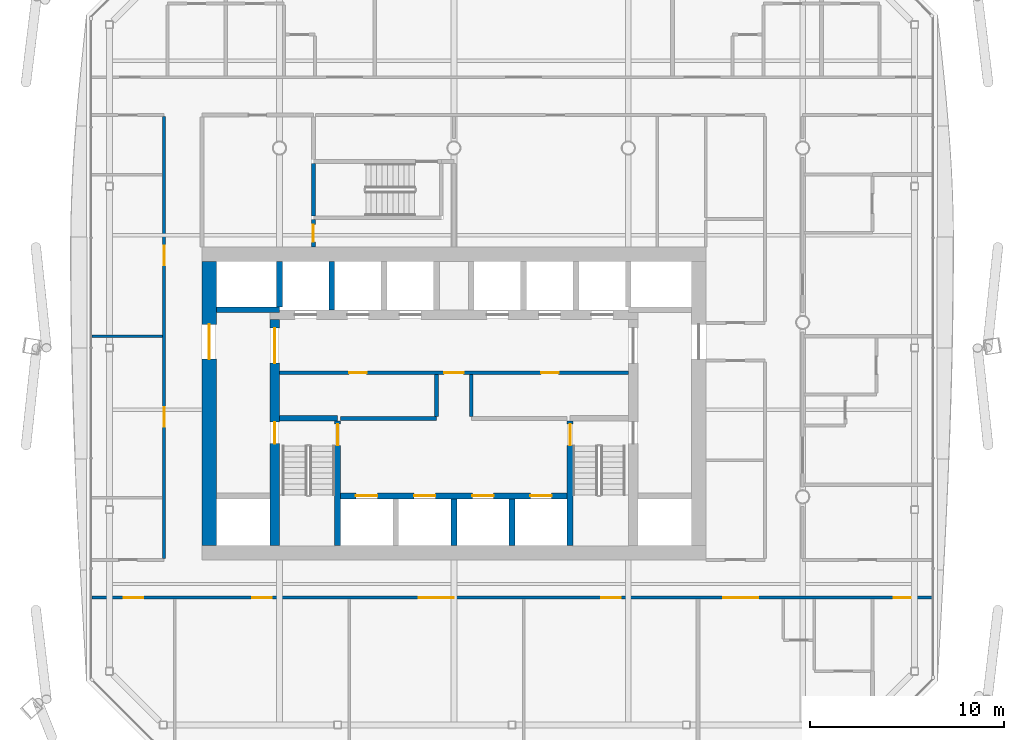
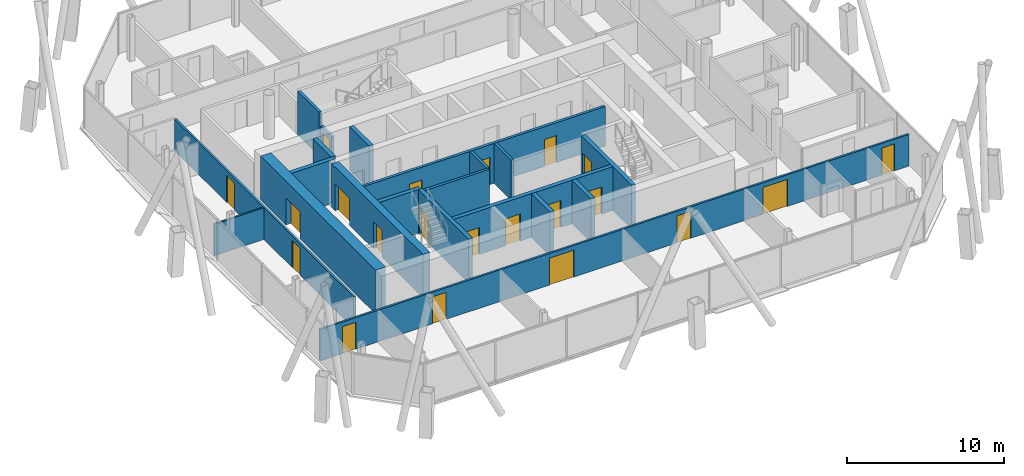
# One storey, part 14 of 20: 21 doors, 20 walls, 21 openings.
"""IFC4 building model written with IfcOpenShell, lengths in metres."""

from ifc_helpers import new_model, si_unit, direction, frame, frame_2d, origin, place, context, subcontext, project, spatial, rectangle, extrude, material, layer, layer_set, type_object, element, fill, save


model = new_model("IFC4")

# Units and contexts
model_context = context("Model", 3, precision=1e-05, world=origin(), true_north=direction((0.0, 1.0)))
body_context = subcontext(model_context, "Body", "Model", "MODEL_VIEW")
ifc_project = project(units=[si_unit("LENGTHUNIT", "METRE"), si_unit("AREAUNIT", "SQUARE_METRE"), si_unit("VOLUMEUNIT", "CUBIC_METRE"), si_unit("PLANEANGLEUNIT", "RADIAN"), si_unit("MASSUNIT", "GRAM", prefix="KILO")], contexts=[model_context])

# Site, building, storey
site_placement = place(None, origin())
site = spatial("IfcSite", under=ifc_project, at=site_placement, CompositionType="ELEMENT")
building_placement = place(site_placement, origin())
building = spatial("IfcBuilding", under=site, at=building_placement, Name="Tskaro Facet Tower", CompositionType="ELEMENT")
storey_placement = place(building_placement, frame((0.0, 0.0, 152.10009765625)))
storey = spatial("IfcBuildingStorey", under=building, at=storey_placement, Name="L37", CompositionType="ELEMENT", Elevation=152.10009765625)

# Wall, openings, doors
ifc_material_1 = material(Name="Concrete C60/75", Category="concrete")
ifc_layer_1 = layer(ifc_material_1, 0.300048828125, Name="Concrete C60/75")
ifc_layer_set_1 = layer_set([ifc_layer_1], Name="Concrete C60/75")
wall_type_1 = type_object("IfcWallType", Name="CORE-SHAFT", PredefinedType="SHEAR", material=ifc_layer_set_1)
wall_1_placement = place(storey_placement, frame((-5.85009765625, -8.949951171875, 0.0), z_axis=(0.0, 0.0, 1.0), x_axis=(1.0, 0.0, 0.0)))
wall_1 = element("IfcWall", 1, at=wall_1_placement, inside=storey, type_object=wall_type_1, Name="Shaft wall W009", PredefinedType="SHEAR", context=body_context, shape_type="SweptSolid", body=[
    extrude(rectangle(XDim=11.7001953125, YDim=0.300048828125, at=frame_2d((5.85009765625, 0.0))), origin(), (0.0, 0.0, 1.0), 3.39990234375),
])
opening_1_placement = place(wall_1_placement, frame((0.800048828125, 0.0, 0.0)))
opening_1 = element("IfcOpeningElement", 2, at=opening_1_placement, cuts=wall_1, Name="Opening LD-FF1", PredefinedType="OPENING", context=body_context, shape_type="SweptSolid", body=[
    extrude(rectangle(XDim=1.10009765625, YDim=2.10009765625, at=frame_2d((0.550048828125, 1.050048828125))), frame((0.0, 0.159912109375, 0.0), z_axis=(0.0, -1.0, 0.0), x_axis=(1.0, 0.0, 0.0)), (0.0, 0.0, 1.0), 0.320068359375),
])
opening_2_placement = place(wall_1_placement, frame((3.800048828125, 0.0, 0.0)))
opening_2 = element("IfcOpeningElement", 3, at=opening_2_placement, cuts=wall_1, Name="Opening LD-FF2", PredefinedType="OPENING", context=body_context, shape_type="SweptSolid", body=[
    extrude(rectangle(XDim=1.10009765625, YDim=2.10009765625, at=frame_2d((0.550048828125, 1.050048828125))), frame((0.0, 0.159912109375, 0.0), z_axis=(0.0, -1.0, 0.0), x_axis=(1.0, 0.0, 0.0)), (0.0, 0.0, 1.0), 0.320068359375),
])
opening_3_placement = place(wall_1_placement, frame((6.800048828125, 0.0, 0.0)))
opening_3 = element("IfcOpeningElement", 4, at=opening_3_placement, cuts=wall_1, Name="Opening LD-SV1", PredefinedType="OPENING", context=body_context, shape_type="SweptSolid", body=[
    extrude(rectangle(XDim=1.10009765625, YDim=2.10009765625, at=frame_2d((0.550048828125, 1.050048828125))), frame((0.0, 0.159912109375, 0.0), z_axis=(0.0, -1.0, 0.0), x_axis=(1.0, 0.0, 0.0)), (0.0, 0.0, 1.0), 0.320068359375),
])
opening_4_placement = place(wall_1_placement, frame((9.800048828125, 0.0, 0.0)))
opening_4 = element("IfcOpeningElement", 5, at=opening_4_placement, cuts=wall_1, Name="Opening LD-SV2", PredefinedType="OPENING", context=body_context, shape_type="SweptSolid", body=[
    extrude(rectangle(XDim=1.10009765625, YDim=2.10009765625, at=frame_2d((0.550048828125, 1.050048828125))), frame((0.0, 0.159912109375, 0.0), z_axis=(0.0, -1.0, 0.0), x_axis=(1.0, 0.0, 0.0)), (0.0, 0.0, 1.0), 0.320068359375),
])
ifc_material_2 = material(Name="Stainless steel", Category="steel")
door_type_1 = type_object("IfcDoorType", Name="D-LANDING", OperationType="NOTDEFINED", PredefinedType="DOOR", material=ifc_material_2)
door_1_placement = place(opening_1_placement, origin())
door_1 = element("IfcDoor", 6, at=door_1_placement, inside=storey, type_object=door_type_1, Name="Landing door FF1", OperationType="DOUBLE_DOOR_SLIDING", OverallHeight=2.10009765625, OverallWidth=1.10009765625, PredefinedType="DOOR", context=body_context, shape_type="SweptSolid", body=[
    extrude(rectangle(XDim=1.10009765625, YDim=2.10009765625, at=frame_2d((0.550048828125, 1.050048828125))), frame((0.0, 0.02490234375, 0.0), z_axis=(0.0, -1.0, 0.0), x_axis=(1.0, 0.0, 0.0)), (0.0, 0.0, 1.0), 0.050048828125),
])
fill(opening_1, door_1)
door_2_placement = place(opening_2_placement, origin())
door_2 = element("IfcDoor", 7, at=door_2_placement, inside=storey, type_object=door_type_1, Name="Landing door FF2", OperationType="DOUBLE_DOOR_SLIDING", OverallHeight=2.10009765625, OverallWidth=1.10009765625, PredefinedType="DOOR", context=body_context, shape_type="SweptSolid", body=[
    extrude(rectangle(XDim=1.10009765625, YDim=2.10009765625, at=frame_2d((0.550048828125, 1.050048828125))), frame((0.0, 0.02490234375, 0.0), z_axis=(0.0, -1.0, 0.0), x_axis=(1.0, 0.0, 0.0)), (0.0, 0.0, 1.0), 0.050048828125),
])
fill(opening_2, door_2)
door_3_placement = place(opening_3_placement, origin())
door_3 = element("IfcDoor", 8, at=door_3_placement, inside=storey, type_object=door_type_1, Name="Landing door SV1", OperationType="DOUBLE_DOOR_SLIDING", OverallHeight=2.10009765625, OverallWidth=1.10009765625, PredefinedType="DOOR", context=body_context, shape_type="SweptSolid", body=[
    extrude(rectangle(XDim=1.10009765625, YDim=2.10009765625, at=frame_2d((0.550048828125, 1.050048828125))), frame((0.0, 0.02490234375, 0.0), z_axis=(0.0, -1.0, 0.0), x_axis=(1.0, 0.0, 0.0)), (0.0, 0.0, 1.0), 0.050048828125),
])
fill(opening_3, door_3)
door_4_placement = place(opening_4_placement, origin())
door_4 = element("IfcDoor", 9, at=door_4_placement, inside=storey, type_object=door_type_1, Name="Landing door SV2", OperationType="DOUBLE_DOOR_SLIDING", OverallHeight=2.10009765625, OverallWidth=1.10009765625, PredefinedType="DOOR", context=body_context, shape_type="SweptSolid", body=[
    extrude(rectangle(XDim=1.10009765625, YDim=2.10009765625, at=frame_2d((0.550048828125, 1.050048828125))), frame((0.0, 0.02490234375, 0.0), z_axis=(0.0, -1.0, 0.0), x_axis=(1.0, 0.0, 0.0)), (0.0, 0.0, 1.0), 0.050048828125),
])
fill(opening_4, door_4)

# Walls
wall_2_placement = place(storey_placement, frame((-9.0, -4.949951171875, 0.0), z_axis=(0.0, 0.0, 1.0), x_axis=(1.0, 0.0, 0.0)))
element("IfcWall", 10, at=wall_2_placement, inside=storey, type_object=wall_type_1, Name="Shaft wall W014", PredefinedType="SHEAR", context=body_context, shape_type="SweptSolid", body=[
    extrude(rectangle(XDim=3.0, YDim=0.300048828125, at=frame_2d((1.5, 0.0))), origin(), (0.0, 0.0, 1.0), 3.39990234375),
])
wall_3_placement = place(storey_placement, frame((-9.0, 0.64990234375, 0.0), z_axis=(0.0, 0.0, 1.0), x_axis=(-1.0, 0.0, 0.0)))
element("IfcWall", 11, at=wall_3_placement, inside=storey, type_object=wall_type_1, Name="Shaft wall W024", PredefinedType="SHEAR", context=body_context, shape_type="SweptSolid", body=[
    extrude(rectangle(XDim=3.25, YDim=0.300048828125, at=frame_2d((1.625, 0.0))), origin(), (0.0, 0.0, 1.0), 3.39990234375),
])
wall_4_placement = place(storey_placement, frame((-9.0, 0.800048828125, 0.0), z_axis=(0.0, 0.0, 1.0), x_axis=(0.0, 1.0, 0.0)))
element("IfcWall", 12, at=wall_4_placement, inside=storey, type_object=wall_type_1, Name="Shaft wall W048", PredefinedType="SHEAR", context=body_context, shape_type="SweptSolid", body=[
    extrude(rectangle(XDim=2.349853515625, YDim=0.300048828125, at=frame_2d((1.1748046875, 0.0))), origin(), (0.0, 0.0, 1.0), 3.39990234375),
])
wall_5_placement = place(storey_placement, frame((-6.300048828125, 0.64990234375, 0.0), z_axis=(0.0, 0.0, 1.0), x_axis=(0.0, 1.0, 0.0)))
element("IfcWall", 13, at=wall_5_placement, inside=storey, type_object=wall_type_1, Name="Shaft wall W054", PredefinedType="SHEAR", context=body_context, shape_type="SweptSolid", body=[
    extrude(rectangle(XDim=2.5, YDim=0.300048828125, at=frame_2d((1.25, 0.0))), origin(), (0.0, 0.0, 1.0), 3.39990234375),
])

# Wall, opening, door
wall_6_placement = place(storey_placement, frame((-6.0, -11.5, 0.0), z_axis=(0.0, 0.0, 1.0), x_axis=(0.0, 1.0, 0.0)))
wall_6 = element("IfcWall", 14, at=wall_6_placement, inside=storey, type_object=wall_type_1, Name="Shaft wall W055", PredefinedType="SHEAR", context=body_context, shape_type="SweptSolid", body=[
    extrude(rectangle(XDim=6.39990234375, YDim=0.300048828125, at=frame_2d((3.199951171875, 0.0))), origin(), (0.0, 0.0, 1.0), 3.39990234375),
])
opening_5_placement = place(wall_6_placement, frame((5.14990234375, 0.0, 0.0)))
opening_5 = element("IfcOpeningElement", 15, at=opening_5_placement, cuts=wall_6, Name="Opening ST-1-D1", PredefinedType="OPENING", context=body_context, shape_type="SweptSolid", body=[
    extrude(rectangle(XDim=1.10009765625, YDim=2.10009765625, at=frame_2d((0.550048828125, 1.050048828125))), frame((0.0, 0.159912109375, 0.0), z_axis=(0.0, -1.0, 0.0), x_axis=(1.0, 0.0, 0.0)), (0.0, 0.0, 1.0), 0.320068359375),
])
ifc_material_3 = material(Name="Steel", Category="steel")
door_type_2 = type_object("IfcDoorType", Name="D-STAIR", OperationType="NOTDEFINED", PredefinedType="DOOR", material=ifc_material_3)
door_5_placement = place(opening_5_placement, origin())
door_5 = element("IfcDoor", 16, at=door_5_placement, inside=storey, type_object=door_type_2, Name="Stair door 1", OperationType="SINGLE_SWING_LEFT", OverallHeight=2.10009765625, OverallWidth=1.10009765625, PredefinedType="DOOR", context=body_context, shape_type="SweptSolid", body=[
    extrude(rectangle(XDim=1.10009765625, YDim=2.10009765625, at=frame_2d((0.550048828125, 1.050048828125))), frame((0.0, 0.02490234375, 0.0), z_axis=(0.0, -1.0, 0.0), x_axis=(1.0, 0.0, 0.0)), (0.0, 0.0, 1.0), 0.050048828125),
])
fill(opening_5, door_5)

# Walls
for number, where, z_axis, x_axis, name in (
    (17, (0.0, -11.5, 0.0), (0.0, 0.0, 1.0), (0.0, 1.0, 0.0), "Shaft wall W063"),
    (18, (3.0, -11.5, 0.0), (0.0, 0.0, 1.0), (0.0, 1.0, 0.0), "Shaft wall W068"),
):
    element("IfcWall", number, at=place(storey_placement, frame(where, z_axis=z_axis, x_axis=x_axis)), inside=storey, type_object=wall_type_1, Name=name, PredefinedType="SHEAR", context=body_context, shape_type="SweptSolid", body=[
        extrude(rectangle(XDim=2.39990234375, YDim=0.300048828125, at=frame_2d((1.199951171875, 0.0))), origin(), (0.0, 0.0, 1.0), 3.39990234375),
    ])

# Wall, opening, door
wall_7_placement = place(storey_placement, frame((6.0, -5.10009765625, 0.0), z_axis=(0.0, 0.0, 1.0), x_axis=(0.0, -1.0, 0.0)))
wall_7 = element("IfcWall", 19, at=wall_7_placement, inside=storey, type_object=wall_type_1, Name="Shaft wall W071", PredefinedType="SHEAR", context=body_context, shape_type="SweptSolid", body=[
    extrude(rectangle(XDim=6.39990234375, YDim=0.300048828125, at=frame_2d((3.199951171875, 0.0))), origin(), (0.0, 0.0, 1.0), 3.39990234375),
])
opening_6_placement = place(wall_7_placement, frame((0.14990234375, 0.0, 0.0)))
opening_6 = element("IfcOpeningElement", 20, at=opening_6_placement, cuts=wall_7, Name="Opening ST-2-D1", PredefinedType="OPENING", context=body_context, shape_type="SweptSolid", body=[
    extrude(rectangle(XDim=1.10009765625, YDim=2.10009765625, at=frame_2d((0.550048828125, 1.050048828125))), frame((0.0, 0.159912109375, 0.0), z_axis=(0.0, -1.0, 0.0), x_axis=(1.0, 0.0, 0.0)), (0.0, 0.0, 1.0), 0.320068359375),
])
door_6_placement = place(opening_6_placement, origin())
door_6 = element("IfcDoor", 21, at=door_6_placement, inside=storey, type_object=door_type_2, Name="Stair door 2", OperationType="SINGLE_SWING_RIGHT", OverallHeight=2.10009765625, OverallWidth=1.10009765625, PredefinedType="DOOR", context=body_context, shape_type="SweptSolid", body=[
    extrude(rectangle(XDim=1.10009765625, YDim=2.10009765625, at=frame_2d((0.550048828125, 1.050048828125))), frame((0.0, 0.02490234375, 0.0), z_axis=(0.0, -1.0, 0.0), x_axis=(1.0, 0.0, 0.0)), (0.0, 0.0, 1.0), 0.050048828125),
])
fill(opening_6, door_6)

# Wall
ifc_material_4 = material(Name="Concrete C20/25", Category="concrete")
ifc_layer_2 = layer(ifc_material_4, 0.199951171875, Name="Concrete C20/25")
ifc_layer_set_2 = layer_set([ifc_layer_2], Name="Concrete C20/25")
wall_type_2 = type_object("IfcWallType", Name="CORE-WALL", PredefinedType="SOLIDWALL", material=ifc_layer_set_2)
wall_8_placement = place(storey_placement, frame((-5.85009765625, -4.949951171875, 0.0), z_axis=(0.0, 0.0, 1.0), x_axis=(1.0, 0.0, 0.0)))
element("IfcWall", 22, at=wall_8_placement, inside=storey, type_object=wall_type_2, Name="Core room wall W015", PredefinedType="SOLIDWALL", context=body_context, shape_type="SweptSolid", body=[
    extrude(rectangle(XDim=4.9501953125, YDim=0.199951171875, at=frame_2d((2.47509765625, 0.0))), origin(), (0.0, 0.0, 1.0), 3.099853515625),
])

# Wall, openings, doors
wall_9_placement = place(storey_placement, frame((9.0, -2.60009765625, 0.0), z_axis=(0.0, 0.0, 1.0), x_axis=(-1.0, 0.0, 0.0)))
wall_9 = element("IfcWall", 23, at=wall_9_placement, inside=storey, type_object=wall_type_2, Name="Core room wall W019", PredefinedType="SOLIDWALL", context=body_context, shape_type="SweptSolid", body=[
    extrude(rectangle(XDim=18.0, YDim=0.199951171875, at=frame_2d((9.0, 0.0))), origin(), (0.0, 0.0, 1.0), 3.099853515625),
])
opening_7_placement = place(wall_9_placement, frame((8.5, 0.0, 0.0)))
opening_7 = element("IfcOpeningElement", 24, at=opening_7_placement, cuts=wall_9, Name="Opening FL-D1", PredefinedType="OPENING", context=body_context, shape_type="SweptSolid", body=[
    extrude(rectangle(XDim=1.0, YDim=2.10009765625, at=frame_2d((0.5, 1.050048828125))), frame((0.0, 0.10986328125, 0.0), z_axis=(0.0, -1.0, 0.0), x_axis=(1.0, 0.0, 0.0)), (0.0, 0.0, 1.0), 0.219970703125),
])
opening_8_placement = place(wall_9_placement, frame((13.5, 0.0, 0.0)))
opening_8 = element("IfcOpeningElement", 25, at=opening_8_placement, cuts=wall_9, Name="Opening T11-D17", PredefinedType="OPENING", context=body_context, shape_type="SweptSolid", body=[
    extrude(rectangle(XDim=0.89990234375, YDim=2.10009765625, at=frame_2d((0.449951171875, 1.050048828125))), frame((0.0, 0.10986328125, 0.0), z_axis=(0.0, -1.0, 0.0), x_axis=(1.0, 0.0, 0.0)), (0.0, 0.0, 1.0), 0.219970703125),
])
opening_9_placement = place(wall_9_placement, frame((3.60009765625, 0.0, 0.0)))
opening_9 = element("IfcOpeningElement", 26, at=opening_9_placement, cuts=wall_9, Name="Opening T11-D18", PredefinedType="OPENING", context=body_context, shape_type="SweptSolid", body=[
    extrude(rectangle(XDim=0.89990234375, YDim=2.10009765625, at=frame_2d((0.449951171875, 1.050048828125))), frame((0.0, 0.10986328125, 0.0), z_axis=(0.0, -1.0, 0.0), x_axis=(1.0, 0.0, 0.0)), (0.0, 0.0, 1.0), 0.219970703125),
])
door_type_3 = type_object("IfcDoorType", Name="D-LOBBY", OperationType="NOTDEFINED", PredefinedType="DOOR", material=ifc_material_3)
door_7_placement = place(opening_7_placement, origin())
door_7 = element("IfcDoor", 27, at=door_7_placement, inside=storey, type_object=door_type_3, Name="Lobby door FL", OperationType="SINGLE_SWING_RIGHT", OverallHeight=2.10009765625, OverallWidth=1.0, PredefinedType="DOOR", context=body_context, shape_type="SweptSolid", body=[
    extrude(rectangle(XDim=1.0, YDim=2.10009765625, at=frame_2d((0.5, 1.050048828125))), frame((0.0, 0.02490234375, 0.0), z_axis=(0.0, -1.0, 0.0), x_axis=(1.0, 0.0, 0.0)), (0.0, 0.0, 1.0), 0.050048828125),
])
fill(opening_7, door_7)
ifc_material_5 = material(Name="Timber", Category="wood")
door_type_4 = type_object("IfcDoorType", Name="D-ROOM", OperationType="NOTDEFINED", PredefinedType="DOOR", material=ifc_material_5)
door_8_placement = place(opening_8_placement, origin())
door_8 = element("IfcDoor", 28, at=door_8_placement, inside=storey, type_object=door_type_4, Name="Door T11-D17", OperationType="SINGLE_SWING_RIGHT", OverallHeight=2.10009765625, OverallWidth=0.89990234375, PredefinedType="DOOR", context=body_context, shape_type="SweptSolid", body=[
    extrude(rectangle(XDim=0.89990234375, YDim=2.10009765625, at=frame_2d((0.449951171875, 1.050048828125))), frame((0.0, 0.02490234375, 0.0), z_axis=(0.0, -1.0, 0.0), x_axis=(1.0, 0.0, 0.0)), (0.0, 0.0, 1.0), 0.050048828125),
])
fill(opening_8, door_8)
door_9_placement = place(opening_9_placement, origin())
door_9 = element("IfcDoor", 29, at=door_9_placement, inside=storey, type_object=door_type_4, Name="Door T11-D18", OperationType="SINGLE_SWING_RIGHT", OverallHeight=2.10009765625, OverallWidth=0.89990234375, PredefinedType="DOOR", context=body_context, shape_type="SweptSolid", body=[
    extrude(rectangle(XDim=0.89990234375, YDim=2.10009765625, at=frame_2d((0.449951171875, 1.050048828125))), frame((0.0, 0.02490234375, 0.0), z_axis=(0.0, -1.0, 0.0), x_axis=(1.0, 0.0, 0.0)), (0.0, 0.0, 1.0), 0.050048828125),
])
fill(opening_9, door_9)

# Walls
for number, where, z_axis, x_axis, name in (
    (30, (-0.89990234375, -4.85009765625, 0.0), (0.0, 0.0, 1.0), (0.0, 1.0, 0.0), "Core room wall W060"),
    (31, (0.89990234375, -4.85009765625, 0.0), (0.0, 0.0, 1.0), (0.0, 1.0, 0.0), "Core room wall W066"),
):
    element("IfcWall", number, at=place(storey_placement, frame(where, z_axis=z_axis, x_axis=x_axis)), inside=storey, type_object=wall_type_2, Name=name, PredefinedType="SOLIDWALL", context=body_context, shape_type="SweptSolid", body=[
        extrude(rectangle(XDim=2.150146484375, YDim=0.199951171875, at=frame_2d((1.0751953125, 0.0))), origin(), (0.0, 0.0, 1.0), 3.099853515625),
    ])

# Wall, openings, doors
ifc_material_6 = material(Name="Concrete C40/50", Category="concrete")
ifc_layer_3 = layer(ifc_material_6, 0.5, Name="Concrete C40/50")
ifc_layer_set_3 = layer_set([ifc_layer_3], Name="Concrete C40/50")
wall_type_3 = type_object("IfcWallType", Name="Core wall 500", PredefinedType="SHEAR", material=ifc_layer_set_3)
wall_10_placement = place(storey_placement, frame((-9.25, -11.5, 0.0), z_axis=(0.0, 0.0, 1.0), x_axis=(0.0, 1.0, 0.0)))
wall_10 = element("IfcWall", 32, at=wall_10_placement, inside=storey, type_object=wall_type_3, Name="Core wall CW-Z3W", PredefinedType="SHEAR", context=body_context, shape_type="SweptSolid", body=[
    extrude(rectangle(XDim=11.64990234375, YDim=0.5, at=frame_2d((5.824951171875, 0.0))), origin(), (0.0, 0.0, 1.0), 3.39990234375),
])
opening_10_placement = place(wall_10_placement, frame((9.39990234375, 0.0, 0.0)))
opening_10 = element("IfcOpeningElement", 33, at=opening_10_placement, cuts=wall_10, Name="Opening T11-D21", PredefinedType="OPENING", context=body_context, shape_type="SweptSolid", body=[
    extrude(rectangle(XDim=1.800048828125, YDim=2.10009765625, at=frame_2d((0.89990234375, 1.050048828125))), frame((0.0, 0.260009765625, 0.0), z_axis=(0.0, -1.0, 0.0), x_axis=(1.0, 0.0, 0.0)), (0.0, 0.0, 1.0), 0.52001953125),
])
opening_11_placement = place(wall_10_placement, frame((5.25, 0.0, 0.0)))
opening_11 = element("IfcOpeningElement", 34, at=opening_11_placement, cuts=wall_10, Name="Opening ST-1-D2", PredefinedType="OPENING", context=body_context, shape_type="SweptSolid", body=[
    extrude(rectangle(XDim=1.10009765625, YDim=2.10009765625, at=frame_2d((0.550048828125, 1.050048828125))), frame((0.0, 0.260009765625, 0.0), z_axis=(0.0, -1.0, 0.0), x_axis=(1.0, 0.0, 0.0)), (0.0, 0.0, 1.0), 0.52001953125),
])
door_type_5 = type_object("IfcDoorType", Name="D-CORE-PAIR", OperationType="NOTDEFINED", PredefinedType="DOOR", material=ifc_material_3)
door_10_placement = place(opening_10_placement, origin())
door_10 = element("IfcDoor", 35, at=door_10_placement, inside=storey, type_object=door_type_5, Name="Door T11-D21", OperationType="DOUBLE_DOOR_SINGLE_SWING", OverallHeight=2.10009765625, OverallWidth=1.800048828125, PredefinedType="DOOR", context=body_context, shape_type="SweptSolid", body=[
    extrude(rectangle(XDim=1.800048828125, YDim=2.10009765625, at=frame_2d((0.89990234375, 1.050048828125))), frame((0.0, 0.02490234375, 0.0), z_axis=(0.0, -1.0, 0.0), x_axis=(1.0, 0.0, 0.0)), (0.0, 0.0, 1.0), 0.050048828125),
])
fill(opening_10, door_10)
door_11_placement = place(opening_11_placement, origin())
door_11 = element("IfcDoor", 36, at=door_11_placement, inside=storey, type_object=door_type_2, Name="Stair door 1 west", OperationType="SINGLE_SWING_LEFT", OverallHeight=2.10009765625, OverallWidth=1.10009765625, PredefinedType="DOOR", context=body_context, shape_type="SweptSolid", body=[
    extrude(rectangle(XDim=1.10009765625, YDim=2.10009765625, at=frame_2d((0.550048828125, 1.050048828125))), frame((0.0, 0.02490234375, 0.0), z_axis=(0.0, -1.0, 0.0), x_axis=(1.0, 0.0, 0.0)), (0.0, 0.0, 1.0), 0.050048828125),
])
fill(opening_11, door_11)

# Wall, opening, door
ifc_material_7 = material(Name="Concrete C50/60", Category="concrete")
ifc_layer_4 = layer(ifc_material_7, 0.75, Name="Concrete C50/60")
ifc_layer_set_4 = layer_set([ifc_layer_4], Name="Concrete C50/60")
wall_type_4 = type_object("IfcWallType", Name="Core wall 750", PredefinedType="SHEAR", material=ifc_layer_set_4)
wall_11_placement = place(storey_placement, frame((-12.625, -11.5, 0.0), z_axis=(0.0, 0.0, 1.0), x_axis=(0.0, 1.0, 0.0)))
wall_11 = element("IfcWall", 37, at=wall_11_placement, inside=storey, type_object=wall_type_4, Name="Core wall CW-Z2W", PredefinedType="SHEAR", context=body_context, shape_type="SweptSolid", body=[
    extrude(rectangle(XDim=14.64990234375, YDim=0.75, at=frame_2d((7.324951171875, 0.0))), origin(), (0.0, 0.0, 1.0), 3.39990234375),
])
opening_12_placement = place(wall_11_placement, frame((9.60009765625, 0.0, 0.0)))
opening_12 = element("IfcOpeningElement", 38, at=opening_12_placement, cuts=wall_11, Name="Opening T11-D23", PredefinedType="OPENING", context=body_context, shape_type="SweptSolid", body=[
    extrude(rectangle(XDim=1.800048828125, YDim=2.10009765625, at=frame_2d((0.89990234375, 1.050048828125))), frame((0.0, 0.385009765625, 0.0), z_axis=(0.0, -1.0, 0.0), x_axis=(1.0, 0.0, 0.0)), (0.0, 0.0, 1.0), 0.77001953125),
])
door_12_placement = place(opening_12_placement, origin())
door_12 = element("IfcDoor", 39, at=door_12_placement, inside=storey, type_object=door_type_5, Name="Door T11-D23", OperationType="DOUBLE_DOOR_SINGLE_SWING", OverallHeight=2.10009765625, OverallWidth=1.800048828125, PredefinedType="DOOR", context=body_context, shape_type="SweptSolid", body=[
    extrude(rectangle(XDim=1.800048828125, YDim=2.10009765625, at=frame_2d((0.89990234375, 1.050048828125))), frame((0.0, 0.02490234375, 0.0), z_axis=(0.0, -1.0, 0.0), x_axis=(1.0, 0.0, 0.0)), (0.0, 0.0, 1.0), 0.050048828125),
])
fill(opening_12, door_12)

# Wall
ifc_material_8 = material(Name="Gypsum board on steel studs", Category="steel")
ifc_layer_5 = layer(ifc_material_8, 0.125, Name="Gypsum board on steel studs")
ifc_layer_set_5 = layer_set([ifc_layer_5], Name="Gypsum board on steel studs")
wall_type_5 = type_object("IfcWallType", Name="PART", PredefinedType="PARTITIONING", material=ifc_layer_set_5)
wall_12_placement = place(storey_placement, frame((-18.674072265625, -0.715087890625, 0.0), z_axis=(0.0, 0.0, 1.0), x_axis=(1.0, 0.0, 0.0)))
element("IfcWall", 40, at=wall_12_placement, inside=storey, type_object=wall_type_5, Name="Partition W022", PredefinedType="PARTITIONING", context=body_context, shape_type="SweptSolid", body=[
    extrude(rectangle(XDim=3.649169921875, YDim=0.125, at=frame_2d((1.82470703125, 0.0))), origin(), (0.0, 0.0, 1.0), 2.4599609375),
])

# Wall, openings, doors
ifc_layer_6 = layer(ifc_material_8, 0.14990234375, Name="Gypsum board on steel studs")
ifc_layer_set_6 = layer_set([ifc_layer_6], Name="Gypsum board on steel studs")
wall_type_6 = type_object("IfcWallType", Name="PART-CORR", PredefinedType="PARTITIONING", material=ifc_layer_set_6)
wall_13_placement = place(storey_placement, frame((24.674072265625, -14.199951171875, 0.0), z_axis=(0.0, 0.0, 1.0), x_axis=(-1.0, 0.0, 0.0)))
wall_13 = element("IfcWall", 41, at=wall_13_placement, inside=storey, type_object=wall_type_6, Name="Corridor wall W003", PredefinedType="PARTITIONING", context=body_context, shape_type="SweptSolid", body=[
    extrude(rectangle(XDim=43.34814453125, YDim=0.14990234375, at=frame_2d((21.674072265625, 0.0))), origin(), (0.0, 0.0, 1.0), 2.4599609375),
])
opening_13_placement = place(wall_13_placement, frame((40.71044921875, 0.0, 0.0)))
opening_13 = element("IfcOpeningElement", 42, at=opening_13_placement, cuts=wall_13, Name="Opening T11-D03", PredefinedType="OPENING", context=body_context, shape_type="SweptSolid", body=[
    extrude(rectangle(XDim=1.0, YDim=2.10009765625, at=frame_2d((0.5, 1.050048828125))), frame((0.0, 0.0849609375, 0.0), z_axis=(0.0, -1.0, 0.0), x_axis=(1.0, 0.0, 0.0)), (0.0, 0.0, 1.0), 0.169921875),
])
opening_14_placement = place(wall_13_placement, frame((34.073486328125, 0.0, 0.0)))
opening_14 = element("IfcOpeningElement", 43, at=opening_14_placement, cuts=wall_13, Name="Opening T11-D04", PredefinedType="OPENING", context=body_context, shape_type="SweptSolid", body=[
    extrude(rectangle(XDim=1.0, YDim=2.10009765625, at=frame_2d((0.5, 1.050048828125))), frame((0.0, 0.0849609375, 0.0), z_axis=(0.0, -1.0, 0.0), x_axis=(1.0, 0.0, 0.0)), (0.0, 0.0, 1.0), 0.169921875),
])
opening_15_placement = place(wall_13_placement, frame((24.674072265625, 0.0, 0.0)))
opening_15 = element("IfcOpeningElement", 44, at=opening_15_placement, cuts=wall_13, Name="Opening T11-D05", PredefinedType="OPENING", context=body_context, shape_type="SweptSolid", body=[
    extrude(rectangle(XDim=1.800048828125, YDim=2.10009765625, at=frame_2d((0.89990234375, 1.050048828125))), frame((0.0, 0.0849609375, 0.0), z_axis=(0.0, -1.0, 0.0), x_axis=(1.0, 0.0, 0.0)), (0.0, 0.0, 1.0), 0.169921875),
])
opening_16_placement = place(wall_13_placement, frame((16.073974609375, 0.0, 0.0)))
opening_16 = element("IfcOpeningElement", 45, at=opening_16_placement, cuts=wall_13, Name="Opening T11-D06", PredefinedType="OPENING", context=body_context, shape_type="SweptSolid", body=[
    extrude(rectangle(XDim=1.0, YDim=2.10009765625, at=frame_2d((0.5, 1.050048828125))), frame((0.0, 0.0849609375, 0.0), z_axis=(0.0, -1.0, 0.0), x_axis=(1.0, 0.0, 0.0)), (0.0, 0.0, 1.0), 0.169921875),
])
opening_17_placement = place(wall_13_placement, frame((8.974609375, 0.0, 0.0)))
opening_17 = element("IfcOpeningElement", 46, at=opening_17_placement, cuts=wall_13, Name="Opening T11-D07", PredefinedType="OPENING", context=body_context, shape_type="SweptSolid", body=[
    extrude(rectangle(XDim=1.800048828125, YDim=2.10009765625, at=frame_2d((0.89990234375, 1.050048828125))), frame((0.0, 0.0849609375, 0.0), z_axis=(0.0, -1.0, 0.0), x_axis=(1.0, 0.0, 0.0)), (0.0, 0.0, 1.0), 0.169921875),
])
opening_18_placement = place(wall_13_placement, frame((1.08740234375, 0.0, 0.0)))
opening_18 = element("IfcOpeningElement", 47, at=opening_18_placement, cuts=wall_13, Name="Opening T11-D08", PredefinedType="OPENING", context=body_context, shape_type="SweptSolid", body=[
    extrude(rectangle(XDim=0.89990234375, YDim=2.10009765625, at=frame_2d((0.449951171875, 1.050048828125))), frame((0.0, 0.0849609375, 0.0), z_axis=(0.0, -1.0, 0.0), x_axis=(1.0, 0.0, 0.0)), (0.0, 0.0, 1.0), 0.169921875),
])
ifc_material_9 = material(Name="Glass", Category="glass")
door_type_6 = type_object("IfcDoorType", Name="D-ENTRY-PAIR", OperationType="NOTDEFINED", PredefinedType="DOOR", material=ifc_material_9)
door_13_placement = place(opening_15_placement, origin())
door_13 = element("IfcDoor", 48, at=door_13_placement, inside=storey, type_object=door_type_6, Name="Door T11-D05", OperationType="DOUBLE_DOOR_SINGLE_SWING", OverallHeight=2.10009765625, OverallWidth=1.800048828125, PredefinedType="DOOR", context=body_context, shape_type="SweptSolid", body=[
    extrude(rectangle(XDim=1.800048828125, YDim=2.10009765625, at=frame_2d((0.89990234375, 1.050048828125))), frame((0.0, 0.02490234375, 0.0), z_axis=(0.0, -1.0, 0.0), x_axis=(1.0, 0.0, 0.0)), (0.0, 0.0, 1.0), 0.050048828125),
])
fill(opening_15, door_13)
door_14_placement = place(opening_18_placement, origin())
door_14 = element("IfcDoor", 49, at=door_14_placement, inside=storey, type_object=door_type_4, Name="Door T11-D08", OperationType="SINGLE_SWING_RIGHT", OverallHeight=2.10009765625, OverallWidth=0.89990234375, PredefinedType="DOOR", context=body_context, shape_type="SweptSolid", body=[
    extrude(rectangle(XDim=0.89990234375, YDim=2.10009765625, at=frame_2d((0.449951171875, 1.050048828125))), frame((0.0, 0.02490234375, 0.0), z_axis=(0.0, -1.0, 0.0), x_axis=(1.0, 0.0, 0.0)), (0.0, 0.0, 1.0), 0.050048828125),
])
fill(opening_18, door_14)
door_type_7 = type_object("IfcDoorType", Name="D-ROOM-WIDE", OperationType="NOTDEFINED", PredefinedType="DOOR", material=ifc_material_5)
door_15_placement = place(opening_13_placement, origin())
door_15 = element("IfcDoor", 50, at=door_15_placement, inside=storey, type_object=door_type_7, Name="Door T11-D03", OperationType="SINGLE_SWING_RIGHT", OverallHeight=2.10009765625, OverallWidth=1.0, PredefinedType="DOOR", context=body_context, shape_type="SweptSolid", body=[
    extrude(rectangle(XDim=1.0, YDim=2.10009765625, at=frame_2d((0.5, 1.050048828125))), frame((0.0, 0.02490234375, 0.0), z_axis=(0.0, -1.0, 0.0), x_axis=(1.0, 0.0, 0.0)), (0.0, 0.0, 1.0), 0.050048828125),
])
fill(opening_13, door_15)
door_16_placement = place(opening_14_placement, origin())
door_16 = element("IfcDoor", 51, at=door_16_placement, inside=storey, type_object=door_type_7, Name="Door T11-D04", OperationType="SINGLE_SWING_RIGHT", OverallHeight=2.10009765625, OverallWidth=1.0, PredefinedType="DOOR", context=body_context, shape_type="SweptSolid", body=[
    extrude(rectangle(XDim=1.0, YDim=2.10009765625, at=frame_2d((0.5, 1.050048828125))), frame((0.0, 0.02490234375, 0.0), z_axis=(0.0, -1.0, 0.0), x_axis=(1.0, 0.0, 0.0)), (0.0, 0.0, 1.0), 0.050048828125),
])
fill(opening_14, door_16)
door_17_placement = place(opening_16_placement, origin())
door_17 = element("IfcDoor", 52, at=door_17_placement, inside=storey, type_object=door_type_7, Name="Door T11-D06", OperationType="SINGLE_SWING_RIGHT", OverallHeight=2.10009765625, OverallWidth=1.0, PredefinedType="DOOR", context=body_context, shape_type="SweptSolid", body=[
    extrude(rectangle(XDim=1.0, YDim=2.10009765625, at=frame_2d((0.5, 1.050048828125))), frame((0.0, 0.02490234375, 0.0), z_axis=(0.0, -1.0, 0.0), x_axis=(1.0, 0.0, 0.0)), (0.0, 0.0, 1.0), 0.050048828125),
])
fill(opening_16, door_17)
door_type_8 = type_object("IfcDoorType", Name="D-SUITE-PAIR", OperationType="NOTDEFINED", PredefinedType="DOOR", material=ifc_material_5)
door_18_placement = place(opening_17_placement, origin())
door_18 = element("IfcDoor", 53, at=door_18_placement, inside=storey, type_object=door_type_8, Name="Door T11-D07", OperationType="DOUBLE_DOOR_SINGLE_SWING", OverallHeight=2.10009765625, OverallWidth=1.800048828125, PredefinedType="DOOR", context=body_context, shape_type="SweptSolid", body=[
    extrude(rectangle(XDim=1.800048828125, YDim=2.10009765625, at=frame_2d((0.89990234375, 1.050048828125))), frame((0.0, 0.02490234375, 0.0), z_axis=(0.0, -1.0, 0.0), x_axis=(1.0, 0.0, 0.0)), (0.0, 0.0, 1.0), 0.050048828125),
])
fill(opening_17, door_18)

wall_14_placement = place(storey_placement, frame((-14.949951171875, -12.175048828125, 0.0), z_axis=(0.0, 0.0, 1.0), x_axis=(0.0, 1.0, 0.0)))
wall_14 = element("IfcWall", 54, at=wall_14_placement, inside=storey, type_object=wall_type_6, Name="Corridor wall W043", PredefinedType="PARTITIONING", context=body_context, shape_type="SweptSolid", body=[
    extrude(rectangle(XDim=22.800048828125, YDim=0.14990234375, at=frame_2d((11.39990234375, 0.0))), origin(), (0.0, 0.0, 1.0), 2.4599609375),
])
opening_19_placement = place(wall_14_placement, frame((6.7890625, 0.0, 0.0)))
opening_19 = element("IfcOpeningElement", 55, at=opening_19_placement, cuts=wall_14, Name="Opening T11-D15", PredefinedType="OPENING", context=body_context, shape_type="SweptSolid", body=[
    extrude(rectangle(XDim=1.0, YDim=2.10009765625, at=frame_2d((0.5, 1.050048828125))), frame((0.0, 0.0849609375, 0.0), z_axis=(0.0, -1.0, 0.0), x_axis=(1.0, 0.0, 0.0)), (0.0, 0.0, 1.0), 0.169921875),
])
opening_20_placement = place(wall_14_placement, frame((15.130615234375, 0.0, 0.0)))
opening_20 = element("IfcOpeningElement", 56, at=opening_20_placement, cuts=wall_14, Name="Opening T11-D29", PredefinedType="OPENING", context=body_context, shape_type="SweptSolid", body=[
    extrude(rectangle(XDim=1.0, YDim=2.10009765625, at=frame_2d((0.5, 1.050048828125))), frame((0.0, 0.0849609375, 0.0), z_axis=(0.0, -1.0, 0.0), x_axis=(1.0, 0.0, 0.0)), (0.0, 0.0, 1.0), 0.169921875),
])
door_19_placement = place(opening_19_placement, origin())
door_19 = element("IfcDoor", 57, at=door_19_placement, inside=storey, type_object=door_type_7, Name="Door T11-D15", OperationType="SINGLE_SWING_LEFT", OverallHeight=2.10009765625, OverallWidth=1.0, PredefinedType="DOOR", context=body_context, shape_type="SweptSolid", body=[
    extrude(rectangle(XDim=1.0, YDim=2.10009765625, at=frame_2d((0.5, 1.050048828125))), frame((0.0, 0.02490234375, 0.0), z_axis=(0.0, -1.0, 0.0), x_axis=(1.0, 0.0, 0.0)), (0.0, 0.0, 1.0), 0.050048828125),
])
fill(opening_19, door_19)
door_20_placement = place(opening_20_placement, origin())
door_20 = element("IfcDoor", 58, at=door_20_placement, inside=storey, type_object=door_type_7, Name="Door T11-D29", OperationType="SINGLE_SWING_LEFT", OverallHeight=2.10009765625, OverallWidth=1.0, PredefinedType="DOOR", context=body_context, shape_type="SweptSolid", body=[
    extrude(rectangle(XDim=1.0, YDim=2.10009765625, at=frame_2d((0.5, 1.050048828125))), frame((0.0, 0.02490234375, 0.0), z_axis=(0.0, -1.0, 0.0), x_axis=(1.0, 0.0, 0.0)), (0.0, 0.0, 1.0), 0.050048828125),
])
fill(opening_20, door_20)

# Wall
ifc_layer_7 = layer(ifc_material_1, 0.199951171875, Name="Concrete C60/75")
ifc_layer_set_7 = layer_set([ifc_layer_7], Name="Concrete C60/75")
wall_type_7 = type_object("IfcWallType", Name="STAIR-WALL", PredefinedType="SHEAR", material=ifc_layer_set_7)
wall_15_placement = place(storey_placement, frame((-7.25, 5.5, 0.0), z_axis=(0.0, 0.0, 1.0), x_axis=(0.0, 1.0, 0.0)))
element("IfcWall", 59, at=wall_15_placement, inside=storey, type_object=wall_type_7, Name="Stair wall W051", PredefinedType="SHEAR", context=body_context, shape_type="SweptSolid", body=[
    extrude(rectangle(XDim=2.699951171875, YDim=0.199951171875, at=frame_2d((1.35009765625, 0.0))), origin(), (0.0, 0.0, 1.0), 3.39990234375),
])

# Wall, opening, door
ifc_layer_8 = layer(ifc_material_4, 0.199951171875, Name="Concrete C20/25")
ifc_layer_set_8 = layer_set([ifc_layer_8], Name="Concrete C20/25")
wall_type_8 = type_object("IfcWallType", Name="WALL-RISER", PredefinedType="SOLIDWALL", material=ifc_layer_set_8)
wall_16_placement = place(storey_placement, frame((-7.25, 5.300048828125, 0.0), z_axis=(0.0, 0.0, 1.0), x_axis=(0.0, -1.0, 0.0)))
wall_16 = element("IfcWall", 60, at=wall_16_placement, inside=storey, type_object=wall_type_8, Name="Riser room wall W050", PredefinedType="SOLIDWALL", context=body_context, shape_type="SweptSolid", body=[
    extrude(rectangle(XDim=1.400146484375, YDim=0.199951171875, at=frame_2d((0.7001953125, 0.0))), origin(), (0.0, 0.0, 1.0), 2.4599609375),
])
opening_21_placement = place(wall_16_placement, frame((0.25, 0.0, 0.0)))
opening_21 = element("IfcOpeningElement", 61, at=opening_21_placement, cuts=wall_16, Name="Opening T11-D30", PredefinedType="OPENING", context=body_context, shape_type="SweptSolid", body=[
    extrude(rectangle(XDim=0.89990234375, YDim=2.10009765625, at=frame_2d((0.449951171875, 1.050048828125))), frame((0.0, 0.10986328125, 0.0), z_axis=(0.0, -1.0, 0.0), x_axis=(1.0, 0.0, 0.0)), (0.0, 0.0, 1.0), 0.219970703125),
])
door_type_9 = type_object("IfcDoorType", Name="D-RISER", OperationType="NOTDEFINED", PredefinedType="DOOR", material=ifc_material_3)
door_21_placement = place(opening_21_placement, origin())
door_21 = element("IfcDoor", 62, at=door_21_placement, inside=storey, type_object=door_type_9, Name="Door T11-D30", OperationType="SINGLE_SWING_RIGHT", OverallHeight=2.10009765625, OverallWidth=0.89990234375, PredefinedType="DOOR", context=body_context, shape_type="SweptSolid", body=[
    extrude(rectangle(XDim=0.89990234375, YDim=2.10009765625, at=frame_2d((0.449951171875, 1.050048828125))), frame((0.0, 0.02490234375, 0.0), z_axis=(0.0, -1.0, 0.0), x_axis=(1.0, 0.0, 0.0)), (0.0, 0.0, 1.0), 0.050048828125),
])
fill(opening_21, door_21)

save(model, "model.ifc")
